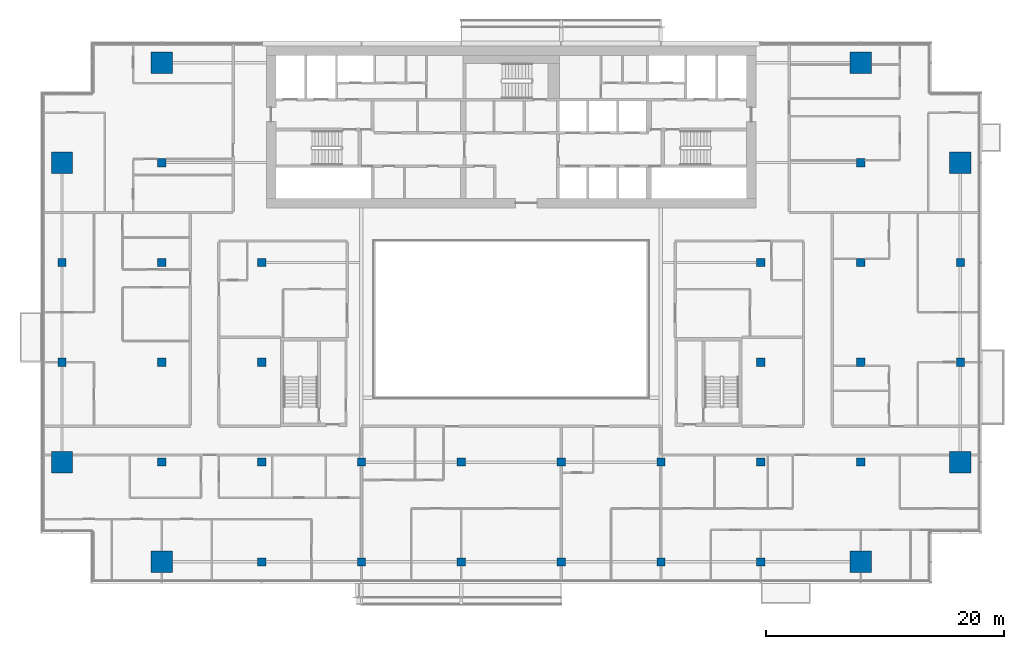
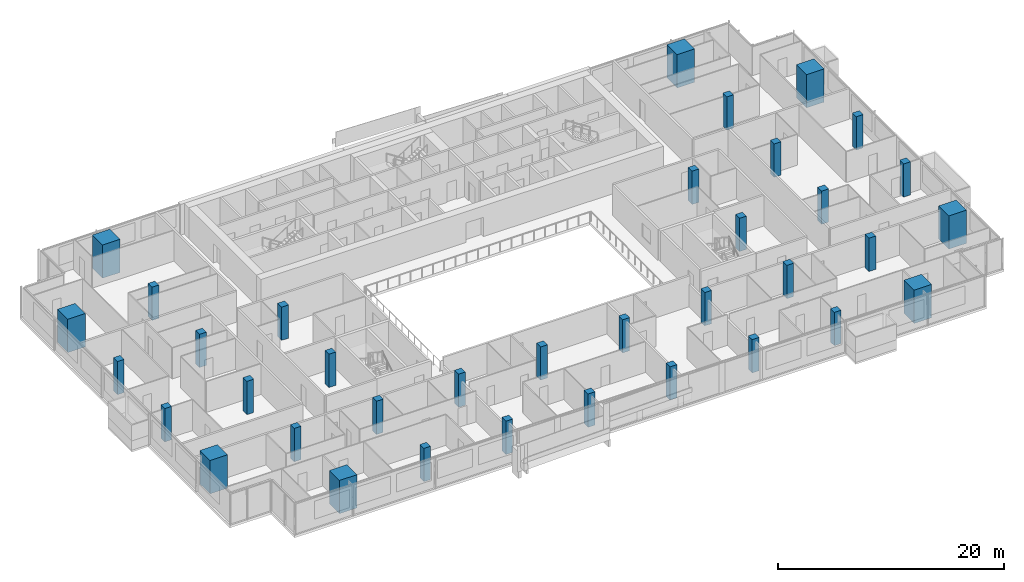
# One storey, part 1 of 27: 36 columns.
"""IFC4 building model written with IfcOpenShell, lengths in metres."""

from ifc_helpers import new_model, si_unit, direction, frame, origin, origin_2d, place, context, subcontext, project, spatial, rectangle, extrude, material, material_profile, profile_set, type_object, element, save


model = new_model("IFC4")

# Units and contexts
model_context = context("Model", 3, precision=1e-05, world=origin(), true_north=direction((0.0, 1.0)))
body_context = subcontext(model_context, "Body", "Model", "MODEL_VIEW")
ifc_project = project(units=[si_unit("LENGTHUNIT", "METRE"), si_unit("AREAUNIT", "SQUARE_METRE"), si_unit("VOLUMEUNIT", "CUBIC_METRE"), si_unit("PLANEANGLEUNIT", "RADIAN"), si_unit("MASSUNIT", "GRAM", prefix="KILO")], contexts=[model_context])

# Site, building, storey
site_placement = place(None, origin())
site = spatial("IfcSite", under=ifc_project, at=site_placement, CompositionType="ELEMENT")
building_placement = place(site_placement, origin())
building = spatial("IfcBuilding", under=site, at=building_placement, Name="Saffron Gate Tower", CompositionType="ELEMENT")
storey_placement = place(building_placement, frame((0.0, 0.0, 172.64990234375)))
storey = spatial("IfcBuildingStorey", under=building, at=storey_placement, Name="L42", CompositionType="ELEMENT", Elevation=172.64990234375)

# Columns
ifc_material_1 = material(Name="Concrete C50", Category="concrete")
ifc_material_profile_1 = material_profile(ifc_material_1, rectangle(XDim=0.699951171875, YDim=0.699951171875, at=origin_2d()))
ifc_profile_set_1 = profile_set([ifc_material_profile_1], Name="Concrete C50")
column_type_1 = type_object("IfcColumnType", Name="C3 RC 700x700 CONCRETE C50", PredefinedType="COLUMN", material=ifc_profile_set_1)
for number, where, z_axis, x_axis, name in (
    (1, (49.800048828125, 48.60009765625, 0.0), (0.0, 0.0, 1.0), (1.0, 0.0, 0.0), "C3 COLUMN X1-C"),
    (2, (49.800048828125, 57.0, 0.0), (0.0, 0.0, 1.0), (1.0, 0.0, 0.0), "C3 COLUMN X1-D"),
    (3, (58.199951171875, 40.199951171875, 0.0), (0.0, 0.0, 1.0), (1.0, 0.0, 0.0), "C3 COLUMN X2-B"),
    (4, (58.199951171875, 48.60009765625, 0.0), (0.0, 0.0, 1.0), (1.0, 0.0, 0.0), "C3 COLUMN X2-C"),
    (5, (58.199951171875, 57.0, 0.0), (0.0, 0.0, 1.0), (1.0, 0.0, 0.0), "C3 COLUMN X2-D"),
    (6, (58.199951171875, 65.39990234375, 0.0), (0.0, 0.0, 1.0), (1.0, 0.0, 0.0), "C3 COLUMN X2-E"),
    (7, (66.60009765625, 31.800048828125, 0.0), (0.0, 0.0, 1.0), (1.0, 0.0, 0.0), "C3 COLUMN X3-A"),
    (8, (66.60009765625, 40.199951171875, 0.0), (0.0, 0.0, 1.0), (1.0, 0.0, 0.0), "C3 COLUMN X3-B"),
    (9, (66.60009765625, 48.60009765625, 0.0), (0.0, 0.0, 1.0), (1.0, 0.0, 0.0), "C3 COLUMN X3-C"),
    (10, (66.60009765625, 57.0, 0.0), (0.0, 0.0, 1.0), (1.0, 0.0, 0.0), "C3 COLUMN X3-D"),
    (11, (75.0, 31.800048828125, 0.0), (0.0, 0.0, 1.0), (1.0, 0.0, 0.0), "C3 COLUMN X4-A"),
    (12, (75.0, 40.199951171875, 0.0), (0.0, 0.0, 1.0), (1.0, 0.0, 0.0), "C3 COLUMN X4-B"),
    (13, (83.39990234375, 31.800048828125, 0.0), (0.0, 0.0, 1.0), (1.0, 0.0, 0.0), "C3 COLUMN X5-A"),
    (14, (83.39990234375, 40.199951171875, 0.0), (0.0, 0.0, 1.0), (1.0, 0.0, 0.0), "C3 COLUMN X5-B"),
    (15, (91.800048828125, 31.800048828125, 0.0), (0.0, 0.0, 1.0), (1.0, 0.0, 0.0), "C3 COLUMN X6-A"),
    (16, (91.800048828125, 40.199951171875, 0.0), (0.0, 0.0, 1.0), (1.0, 0.0, 0.0), "C3 COLUMN X6-B"),
    (17, (100.199951171875, 31.800048828125, 0.0), (0.0, 0.0, 1.0), (1.0, 0.0, 0.0), "C3 COLUMN X7-A"),
    (18, (100.199951171875, 40.199951171875, 0.0), (0.0, 0.0, 1.0), (1.0, 0.0, 0.0), "C3 COLUMN X7-B"),
    (19, (108.60009765625, 31.800048828125, 0.0), (0.0, 0.0, 1.0), (1.0, 0.0, 0.0), "C3 COLUMN X8-A"),
    (20, (108.60009765625, 40.199951171875, 0.0), (0.0, 0.0, 1.0), (1.0, 0.0, 0.0), "C3 COLUMN X8-B"),
    (21, (108.60009765625, 48.60009765625, 0.0), (0.0, 0.0, 1.0), (1.0, 0.0, 0.0), "C3 COLUMN X8-C"),
    (22, (108.60009765625, 57.0, 0.0), (0.0, 0.0, 1.0), (1.0, 0.0, 0.0), "C3 COLUMN X8-D"),
    (23, (117.0, 40.199951171875, 0.0), (0.0, 0.0, 1.0), (1.0, 0.0, 0.0), "C3 COLUMN X9-B"),
    (24, (117.0, 48.60009765625, 0.0), (0.0, 0.0, 1.0), (1.0, 0.0, 0.0), "C3 COLUMN X9-C"),
    (25, (117.0, 57.0, 0.0), (0.0, 0.0, 1.0), (1.0, 0.0, 0.0), "C3 COLUMN X9-D"),
    (26, (117.0, 65.39990234375, 0.0), (0.0, 0.0, 1.0), (1.0, 0.0, 0.0), "C3 COLUMN X9-E"),
    (27, (125.39990234375, 48.60009765625, 0.0), (0.0, 0.0, 1.0), (1.0, 0.0, 0.0), "C3 COLUMN X10-C"),
    (28, (125.39990234375, 57.0, 0.0), (0.0, 0.0, 1.0), (1.0, 0.0, 0.0), "C3 COLUMN X10-D"),
):
    element("IfcColumn", number, at=place(storey_placement, frame(where, z_axis=z_axis, x_axis=x_axis)), inside=storey, type_object=column_type_1, Name=name, PredefinedType="COLUMN", context=body_context, shape_type="SweptSolid", body=[
        extrude(rectangle(XDim=0.699951171875, YDim=0.699951171875, at=origin_2d()), origin(), (0.0, 0.0, 1.0), 3.60009765625),
    ])
ifc_material_2 = material(Name="Concrete C70", Category="concrete")
ifc_material_profile_2 = material_profile(ifc_material_2, rectangle(XDim=1.800048828125, YDim=1.800048828125, at=origin_2d()))
ifc_profile_set_2 = profile_set([ifc_material_profile_2], Name="Concrete C70")
column_type_2 = type_object("IfcColumnType", Name="MC2 RC 1800x1800 CONCRETE C70", PredefinedType="COLUMN", material=ifc_profile_set_2)
for number, where, z_axis, x_axis, name in (
    (29, (49.800048828125, 40.199951171875, 0.0), (0.0, 0.0, 1.0), (1.0, 0.0, 0.0), "MC2 MEGA COLUMN X1-B"),
    (30, (49.800048828125, 65.39990234375, 0.0), (0.0, 0.0, 1.0), (1.0, 0.0, 0.0), "MC2 MEGA COLUMN X1-E"),
    (31, (58.199951171875, 31.800048828125, 0.0), (0.0, 0.0, 1.0), (1.0, 0.0, 0.0), "MC2 MEGA COLUMN X2-A"),
    (32, (58.199951171875, 73.800048828125, 0.0), (0.0, 0.0, 1.0), (1.0, 0.0, 0.0), "MC2 MEGA COLUMN X2-F"),
    (33, (117.0, 31.800048828125, 0.0), (0.0, 0.0, 1.0), (1.0, 0.0, 0.0), "MC2 MEGA COLUMN X9-A"),
    (34, (117.0, 73.800048828125, 0.0), (0.0, 0.0, 1.0), (1.0, 0.0, 0.0), "MC2 MEGA COLUMN X9-F"),
    (35, (125.39990234375, 40.199951171875, 0.0), (0.0, 0.0, 1.0), (1.0, 0.0, 0.0), "MC2 MEGA COLUMN X10-B"),
    (36, (125.39990234375, 65.39990234375, 0.0), (0.0, 0.0, 1.0), (1.0, 0.0, 0.0), "MC2 MEGA COLUMN X10-E"),
):
    element("IfcColumn", number, at=place(storey_placement, frame(where, z_axis=z_axis, x_axis=x_axis)), inside=storey, type_object=column_type_2, Name=name, PredefinedType="COLUMN", context=body_context, shape_type="SweptSolid", body=[
        extrude(rectangle(XDim=1.800048828125, YDim=1.800048828125, at=origin_2d()), origin(), (0.0, 0.0, 1.0), 3.60009765625),
    ])

save(model, "model.ifc")
